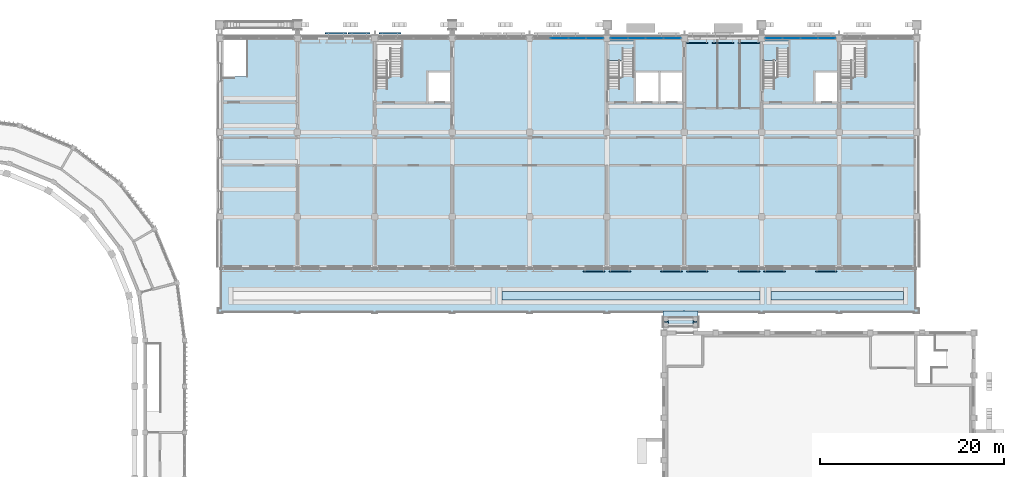
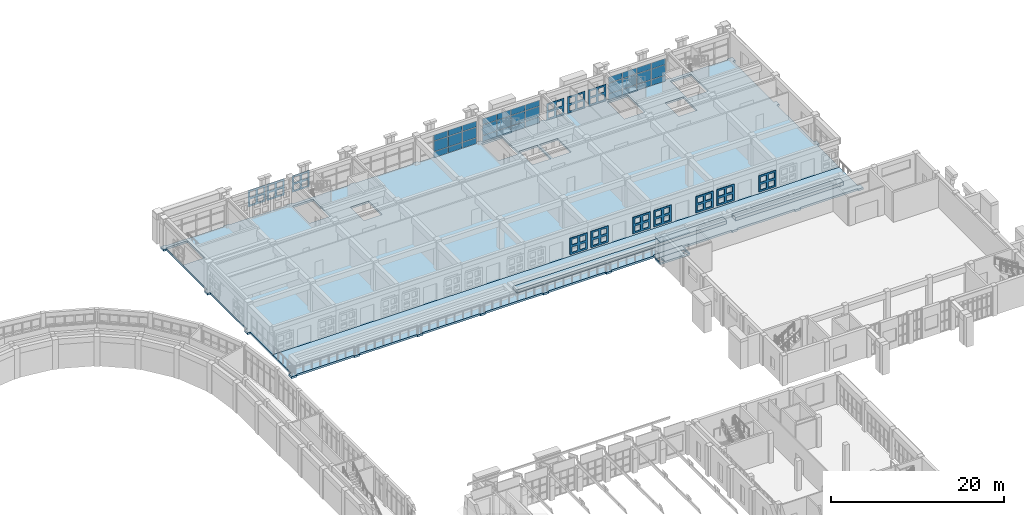
# One storey, part 49 of 99: 47 plates, 8 slabs, 5 elements without a shape of their own.
"""IFC4 building model written with IfcOpenShell, lengths in metres."""

from ifc_helpers import new_model, si_unit, direction, frame, origin, origin_2d, place, context, subcontext, project, spatial, polyline, rectangle, outline, extrude, material, layer, layer_set, material_profile, profile_set, type_object, element, aggregate, save


model = new_model("IFC4")

# Units and contexts
model_context = context("Model", 3, precision=1e-05, world=origin(), true_north=direction((0.0, 1.0)))
body_context = subcontext(model_context, "Body", "Model", "MODEL_VIEW")
ifc_project = project(units=[si_unit("LENGTHUNIT", "METRE"), si_unit("AREAUNIT", "SQUARE_METRE"), si_unit("VOLUMEUNIT", "CUBIC_METRE"), si_unit("PLANEANGLEUNIT", "RADIAN"), si_unit("MASSUNIT", "GRAM", prefix="KILO")], contexts=[model_context])

# Site, building, storey
site_placement = place(None, origin())
site = spatial("IfcSite", under=ifc_project, at=site_placement, CompositionType="ELEMENT")
building_placement = place(site_placement, origin())
building = spatial("IfcBuilding", under=site, at=building_placement, Name="Wasatch Bagh Community Centre", CompositionType="ELEMENT")
storey_placement = place(building_placement, frame((0.0, 0.0, 4.199951171875)))
storey = spatial("IfcBuildingStorey", under=building, at=storey_placement, Name="L01", CompositionType="ELEMENT", Elevation=4.199951171875)

# Curtain wall, plates
ifc_material_1 = material(Name="Aluminium curtain wall frame with low-iron glass", Category="aluminium")
ifc_layer_1 = layer(ifc_material_1, 0.10009765625)
ifc_layer_set_1 = layer_set([ifc_layer_1], Name="Aluminium curtain wall frame with low-iron glass")
curtain_wall_type_1 = type_object("IfcCurtainWallType", Name="LW curtain wall 100", PredefinedType="NOTDEFINED", material=ifc_layer_set_1)
curtain_wall_1_placement = place(storey_placement, origin())
curtain_wall_1 = element("IfcCurtainWall", 1, at=curtain_wall_1_placement, inside=storey, type_object=curtain_wall_type_1, Name="Curtain wall 01.05", PredefinedType="NOTDEFINED")
ifc_material_2 = material(Name="Low-iron insulated glass", Category="glass")
ifc_layer_2 = layer(ifc_material_2, 0.028076171875)
ifc_layer_set_2 = layer_set([ifc_layer_2], Name="Low-iron insulated glass")
plate_type_1 = type_object("IfcPlateType", Name="LW curtain wall panel 28", PredefinedType="CURTAIN_PANEL", material=ifc_layer_set_2)
plate_1_placement = place(storey_placement, frame((107.327392578125, 97.800048828125, 0.06005859375), z_axis=(0.0, 0.0, 1.0), x_axis=(1.0, 0.0, 0.0)))
plate_1 = element("IfcPlate", 2, at=plate_1_placement, type_object=plate_type_1, Name="LW-CW1 panel 1.1", PredefinedType="CURTAIN_PANEL", context=body_context, shape_type="SweptSolid", body=[
    extrude(rectangle(XDim=1.8349609375, YDim=0.028076171875, at=origin_2d()), origin(), (0.0, 0.0, 1.0), 0.81005859375),
])
plate_2_placement = place(storey_placement, frame((107.327392578125, 97.800048828125, 0.93017578125), z_axis=(0.0, 0.0, 1.0), x_axis=(1.0, 0.0, 0.0)))
plate_2 = element("IfcPlate", 3, at=plate_2_placement, type_object=plate_type_1, Name="LW-CW1 panel 1.2", PredefinedType="CURTAIN_PANEL", context=body_context, shape_type="SweptSolid", body=[
    extrude(rectangle(XDim=1.8349609375, YDim=0.028076171875, at=origin_2d()), origin(), (0.0, 0.0, 1.0), 1.43994140625),
])
plate_3_placement = place(storey_placement, frame((107.327392578125, 97.800048828125, 2.429931640625), z_axis=(0.0, 0.0, 1.0), x_axis=(1.0, 0.0, 0.0)))
plate_3 = element("IfcPlate", 4, at=plate_3_placement, type_object=plate_type_1, Name="LW-CW1 panel 1.3", PredefinedType="CURTAIN_PANEL", context=body_context, shape_type="SweptSolid", body=[
    extrude(rectangle(XDim=1.8349609375, YDim=0.028076171875, at=origin_2d()), origin(), (0.0, 0.0, 1.0), 0.830078125),
])
plate_4_placement = place(storey_placement, frame((109.237548828125, 97.800048828125, 0.06005859375), z_axis=(0.0, 0.0, 1.0), x_axis=(1.0, 0.0, 0.0)))
plate_4 = element("IfcPlate", 5, at=plate_4_placement, type_object=plate_type_1, Name="LW-CW1 panel 2.1", PredefinedType="CURTAIN_PANEL", context=body_context, shape_type="SweptSolid", body=[
    extrude(rectangle(XDim=1.864990234375, YDim=0.028076171875, at=origin_2d()), origin(), (0.0, 0.0, 1.0), 0.81005859375),
])
plate_5_placement = place(storey_placement, frame((109.237548828125, 97.800048828125, 0.93017578125), z_axis=(0.0, 0.0, 1.0), x_axis=(1.0, 0.0, 0.0)))
plate_5 = element("IfcPlate", 6, at=plate_5_placement, type_object=plate_type_1, Name="LW-CW1 panel 2.2", PredefinedType="CURTAIN_PANEL", context=body_context, shape_type="SweptSolid", body=[
    extrude(rectangle(XDim=1.864990234375, YDim=0.028076171875, at=origin_2d()), origin(), (0.0, 0.0, 1.0), 1.43994140625),
])
plate_6_placement = place(storey_placement, frame((109.237548828125, 97.800048828125, 2.429931640625), z_axis=(0.0, 0.0, 1.0), x_axis=(1.0, 0.0, 0.0)))
plate_6 = element("IfcPlate", 7, at=plate_6_placement, type_object=plate_type_1, Name="LW-CW1 panel 2.3", PredefinedType="CURTAIN_PANEL", context=body_context, shape_type="SweptSolid", body=[
    extrude(rectangle(XDim=1.864990234375, YDim=0.028076171875, at=origin_2d()), origin(), (0.0, 0.0, 1.0), 0.830078125),
])
plate_7_placement = place(storey_placement, frame((111.16259765625, 97.800048828125, 0.06005859375), z_axis=(0.0, 0.0, 1.0), x_axis=(1.0, 0.0, 0.0)))
plate_7 = element("IfcPlate", 8, at=plate_7_placement, type_object=plate_type_1, Name="LW-CW1 panel 3.1", PredefinedType="CURTAIN_PANEL", context=body_context, shape_type="SweptSolid", body=[
    extrude(rectangle(XDim=1.864990234375, YDim=0.028076171875, at=origin_2d()), origin(), (0.0, 0.0, 1.0), 0.81005859375),
])
plate_8_placement = place(storey_placement, frame((111.16259765625, 97.800048828125, 0.93017578125), z_axis=(0.0, 0.0, 1.0), x_axis=(1.0, 0.0, 0.0)))
plate_8 = element("IfcPlate", 9, at=plate_8_placement, type_object=plate_type_1, Name="LW-CW1 panel 3.2", PredefinedType="CURTAIN_PANEL", context=body_context, shape_type="SweptSolid", body=[
    extrude(rectangle(XDim=1.864990234375, YDim=0.028076171875, at=origin_2d()), origin(), (0.0, 0.0, 1.0), 1.43994140625),
])
plate_9_placement = place(storey_placement, frame((111.16259765625, 97.800048828125, 2.429931640625), z_axis=(0.0, 0.0, 1.0), x_axis=(1.0, 0.0, 0.0)))
plate_9 = element("IfcPlate", 10, at=plate_9_placement, type_object=plate_type_1, Name="LW-CW1 panel 3.3", PredefinedType="CURTAIN_PANEL", context=body_context, shape_type="SweptSolid", body=[
    extrude(rectangle(XDim=1.864990234375, YDim=0.028076171875, at=origin_2d()), origin(), (0.0, 0.0, 1.0), 0.830078125),
])
plate_10_placement = place(storey_placement, frame((113.072509765625, 97.800048828125, 0.06005859375), z_axis=(0.0, 0.0, 1.0), x_axis=(1.0, 0.0, 0.0)))
plate_10 = element("IfcPlate", 11, at=plate_10_placement, type_object=plate_type_1, Name="LW-CW1 panel 4.1", PredefinedType="CURTAIN_PANEL", context=body_context, shape_type="SweptSolid", body=[
    extrude(rectangle(XDim=1.8349609375, YDim=0.028076171875, at=origin_2d()), origin(), (0.0, 0.0, 1.0), 0.81005859375),
])
plate_11_placement = place(storey_placement, frame((113.072509765625, 97.800048828125, 0.93017578125), z_axis=(0.0, 0.0, 1.0), x_axis=(1.0, 0.0, 0.0)))
plate_11 = element("IfcPlate", 12, at=plate_11_placement, type_object=plate_type_1, Name="LW-CW1 panel 4.2", PredefinedType="CURTAIN_PANEL", context=body_context, shape_type="SweptSolid", body=[
    extrude(rectangle(XDim=1.8349609375, YDim=0.028076171875, at=origin_2d()), origin(), (0.0, 0.0, 1.0), 1.43994140625),
])
plate_12_placement = place(storey_placement, frame((113.072509765625, 97.800048828125, 2.429931640625), z_axis=(0.0, 0.0, 1.0), x_axis=(1.0, 0.0, 0.0)))
plate_12 = element("IfcPlate", 13, at=plate_12_placement, type_object=plate_type_1, Name="LW-CW1 panel 4.3", PredefinedType="CURTAIN_PANEL", context=body_context, shape_type="SweptSolid", body=[
    extrude(rectangle(XDim=1.8349609375, YDim=0.028076171875, at=origin_2d()), origin(), (0.0, 0.0, 1.0), 0.830078125),
])
aggregate(curtain_wall_1, [plate_1, plate_2, plate_3, plate_4, plate_5, plate_6, plate_7, plate_8, plate_9, plate_10, plate_11, plate_12])

curtain_wall_2_placement = place(storey_placement, origin())
curtain_wall_2 = element("IfcCurtainWall", 14, at=curtain_wall_2_placement, inside=storey, type_object=curtain_wall_type_1, Name="Curtain wall 01.06", PredefinedType="NOTDEFINED")
plate_13_placement = place(storey_placement, frame((124.12744140625, 97.800048828125, 0.06005859375), z_axis=(0.0, 0.0, 1.0), x_axis=(1.0, 0.0, 0.0)))
plate_13 = element("IfcPlate", 15, at=plate_13_placement, type_object=plate_type_1, Name="LW-CW1 panel 1.1", PredefinedType="CURTAIN_PANEL", context=body_context, shape_type="SweptSolid", body=[
    extrude(rectangle(XDim=1.8349609375, YDim=0.028076171875, at=origin_2d()), origin(), (0.0, 0.0, 1.0), 0.81005859375),
])
plate_14_placement = place(storey_placement, frame((124.12744140625, 97.800048828125, 0.93017578125), z_axis=(0.0, 0.0, 1.0), x_axis=(1.0, 0.0, 0.0)))
plate_14 = element("IfcPlate", 16, at=plate_14_placement, type_object=plate_type_1, Name="LW-CW1 panel 1.2", PredefinedType="CURTAIN_PANEL", context=body_context, shape_type="SweptSolid", body=[
    extrude(rectangle(XDim=1.8349609375, YDim=0.028076171875, at=origin_2d()), origin(), (0.0, 0.0, 1.0), 1.43994140625),
])
plate_15_placement = place(storey_placement, frame((124.12744140625, 97.800048828125, 2.429931640625), z_axis=(0.0, 0.0, 1.0), x_axis=(1.0, 0.0, 0.0)))
plate_15 = element("IfcPlate", 17, at=plate_15_placement, type_object=plate_type_1, Name="LW-CW1 panel 1.3", PredefinedType="CURTAIN_PANEL", context=body_context, shape_type="SweptSolid", body=[
    extrude(rectangle(XDim=1.8349609375, YDim=0.028076171875, at=origin_2d()), origin(), (0.0, 0.0, 1.0), 0.830078125),
])
plate_16_placement = place(storey_placement, frame((126.03759765625, 97.800048828125, 0.06005859375), z_axis=(0.0, 0.0, 1.0), x_axis=(1.0, 0.0, 0.0)))
plate_16 = element("IfcPlate", 18, at=plate_16_placement, type_object=plate_type_1, Name="LW-CW1 panel 2.1", PredefinedType="CURTAIN_PANEL", context=body_context, shape_type="SweptSolid", body=[
    extrude(rectangle(XDim=1.864990234375, YDim=0.028076171875, at=origin_2d()), origin(), (0.0, 0.0, 1.0), 0.81005859375),
])
plate_17_placement = place(storey_placement, frame((126.03759765625, 97.800048828125, 0.93017578125), z_axis=(0.0, 0.0, 1.0), x_axis=(1.0, 0.0, 0.0)))
plate_17 = element("IfcPlate", 19, at=plate_17_placement, type_object=plate_type_1, Name="LW-CW1 panel 2.2", PredefinedType="CURTAIN_PANEL", context=body_context, shape_type="SweptSolid", body=[
    extrude(rectangle(XDim=1.864990234375, YDim=0.028076171875, at=origin_2d()), origin(), (0.0, 0.0, 1.0), 1.43994140625),
])
plate_18_placement = place(storey_placement, frame((126.03759765625, 97.800048828125, 2.429931640625), z_axis=(0.0, 0.0, 1.0), x_axis=(1.0, 0.0, 0.0)))
plate_18 = element("IfcPlate", 20, at=plate_18_placement, type_object=plate_type_1, Name="LW-CW1 panel 2.3", PredefinedType="CURTAIN_PANEL", context=body_context, shape_type="SweptSolid", body=[
    extrude(rectangle(XDim=1.864990234375, YDim=0.028076171875, at=origin_2d()), origin(), (0.0, 0.0, 1.0), 0.830078125),
])
plate_19_placement = place(storey_placement, frame((127.96240234375, 97.800048828125, 0.06005859375), z_axis=(0.0, 0.0, 1.0), x_axis=(1.0, 0.0, 0.0)))
plate_19 = element("IfcPlate", 21, at=plate_19_placement, type_object=plate_type_1, Name="LW-CW1 panel 3.1", PredefinedType="CURTAIN_PANEL", context=body_context, shape_type="SweptSolid", body=[
    extrude(rectangle(XDim=1.864990234375, YDim=0.028076171875, at=origin_2d()), origin(), (0.0, 0.0, 1.0), 0.81005859375),
])
plate_20_placement = place(storey_placement, frame((127.96240234375, 97.800048828125, 0.93017578125), z_axis=(0.0, 0.0, 1.0), x_axis=(1.0, 0.0, 0.0)))
plate_20 = element("IfcPlate", 22, at=plate_20_placement, type_object=plate_type_1, Name="LW-CW1 panel 3.2", PredefinedType="CURTAIN_PANEL", context=body_context, shape_type="SweptSolid", body=[
    extrude(rectangle(XDim=1.864990234375, YDim=0.028076171875, at=origin_2d()), origin(), (0.0, 0.0, 1.0), 1.43994140625),
])
plate_21_placement = place(storey_placement, frame((127.96240234375, 97.800048828125, 2.429931640625), z_axis=(0.0, 0.0, 1.0), x_axis=(1.0, 0.0, 0.0)))
plate_21 = element("IfcPlate", 23, at=plate_21_placement, type_object=plate_type_1, Name="LW-CW1 panel 3.3", PredefinedType="CURTAIN_PANEL", context=body_context, shape_type="SweptSolid", body=[
    extrude(rectangle(XDim=1.864990234375, YDim=0.028076171875, at=origin_2d()), origin(), (0.0, 0.0, 1.0), 0.830078125),
])
plate_22_placement = place(storey_placement, frame((129.87255859375, 97.800048828125, 0.06005859375), z_axis=(0.0, 0.0, 1.0), x_axis=(1.0, 0.0, 0.0)))
plate_22 = element("IfcPlate", 24, at=plate_22_placement, type_object=plate_type_1, Name="LW-CW1 panel 4.1", PredefinedType="CURTAIN_PANEL", context=body_context, shape_type="SweptSolid", body=[
    extrude(rectangle(XDim=1.8349609375, YDim=0.028076171875, at=origin_2d()), origin(), (0.0, 0.0, 1.0), 0.81005859375),
])
plate_23_placement = place(storey_placement, frame((129.87255859375, 97.800048828125, 0.93017578125), z_axis=(0.0, 0.0, 1.0), x_axis=(1.0, 0.0, 0.0)))
plate_23 = element("IfcPlate", 25, at=plate_23_placement, type_object=plate_type_1, Name="LW-CW1 panel 4.2", PredefinedType="CURTAIN_PANEL", context=body_context, shape_type="SweptSolid", body=[
    extrude(rectangle(XDim=1.8349609375, YDim=0.028076171875, at=origin_2d()), origin(), (0.0, 0.0, 1.0), 1.43994140625),
])
plate_24_placement = place(storey_placement, frame((129.87255859375, 97.800048828125, 2.429931640625), z_axis=(0.0, 0.0, 1.0), x_axis=(1.0, 0.0, 0.0)))
plate_24 = element("IfcPlate", 26, at=plate_24_placement, type_object=plate_type_1, Name="LW-CW1 panel 4.3", PredefinedType="CURTAIN_PANEL", context=body_context, shape_type="SweptSolid", body=[
    extrude(rectangle(XDim=1.8349609375, YDim=0.028076171875, at=origin_2d()), origin(), (0.0, 0.0, 1.0), 0.830078125),
])
aggregate(curtain_wall_2, [plate_13, plate_14, plate_15, plate_16, plate_17, plate_18, plate_19, plate_20, plate_21, plate_22, plate_23, plate_24])

ifc_layer_3 = layer(ifc_material_1, 0.1201171875)
ifc_layer_set_3 = layer_set([ifc_layer_3], Name="Aluminium curtain wall frame with low-iron glass")
curtain_wall_type_2 = type_object("IfcCurtainWallType", Name="LW study front curtain wall 120", PredefinedType="NOTDEFINED", material=ifc_layer_set_3)
curtain_wall_3_placement = place(storey_placement, origin())
curtain_wall_3 = element("IfcCurtainWall", 27, at=curtain_wall_3_placement, inside=storey, type_object=curtain_wall_type_2, Name="Curtain wall 01.04", PredefinedType="NOTDEFINED")
ifc_layer_4 = layer(ifc_material_2, 0.028076171875)
ifc_layer_set_4 = layer_set([ifc_layer_4], Name="Low-iron insulated glass")
plate_type_2 = type_object("IfcPlateType", Name="LW curtain wall panel 28 LW-CW2", PredefinedType="CURTAIN_PANEL", material=ifc_layer_set_4)
plate_25_placement = place(storey_placement, frame((100.83740234375, 97.800048828125, 0.06005859375), z_axis=(0.0, 0.0, 1.0), x_axis=(1.0, 0.0, 0.0)))
plate_25 = element("IfcPlate", 28, at=plate_25_placement, type_object=plate_type_2, Name="LW-CW2 panel 2.1", PredefinedType="CURTAIN_PANEL", context=body_context, shape_type="SweptSolid", body=[
    extrude(rectangle(XDim=1.864990234375, YDim=0.028076171875, at=origin_2d()), origin(), (0.0, 0.0, 1.0), 0.81005859375),
])
plate_26_placement = place(storey_placement, frame((100.83740234375, 97.800048828125, 0.93017578125), z_axis=(0.0, 0.0, 1.0), x_axis=(1.0, 0.0, 0.0)))
plate_26 = element("IfcPlate", 29, at=plate_26_placement, type_object=plate_type_2, Name="LW-CW2 panel 2.2", PredefinedType="CURTAIN_PANEL", context=body_context, shape_type="SweptSolid", body=[
    extrude(rectangle(XDim=1.864990234375, YDim=0.028076171875, at=origin_2d()), origin(), (0.0, 0.0, 1.0), 1.43994140625),
])
plate_27_placement = place(storey_placement, frame((100.83740234375, 97.800048828125, 2.429931640625), z_axis=(0.0, 0.0, 1.0), x_axis=(1.0, 0.0, 0.0)))
plate_27 = element("IfcPlate", 30, at=plate_27_placement, type_object=plate_type_2, Name="LW-CW2 panel 2.3", PredefinedType="CURTAIN_PANEL", context=body_context, shape_type="SweptSolid", body=[
    extrude(rectangle(XDim=1.864990234375, YDim=0.028076171875, at=origin_2d()), origin(), (0.0, 0.0, 1.0), 0.830078125),
])
plate_28_placement = place(storey_placement, frame((102.762451171875, 97.800048828125, 0.06005859375), z_axis=(0.0, 0.0, 1.0), x_axis=(1.0, 0.0, 0.0)))
plate_28 = element("IfcPlate", 31, at=plate_28_placement, type_object=plate_type_2, Name="LW-CW2 panel 3.1", PredefinedType="CURTAIN_PANEL", context=body_context, shape_type="SweptSolid", body=[
    extrude(rectangle(XDim=1.864990234375, YDim=0.028076171875, at=origin_2d()), origin(), (0.0, 0.0, 1.0), 0.81005859375),
])
plate_29_placement = place(storey_placement, frame((102.762451171875, 97.800048828125, 0.93017578125), z_axis=(0.0, 0.0, 1.0), x_axis=(1.0, 0.0, 0.0)))
plate_29 = element("IfcPlate", 32, at=plate_29_placement, type_object=plate_type_2, Name="LW-CW2 panel 3.2", PredefinedType="CURTAIN_PANEL", context=body_context, shape_type="SweptSolid", body=[
    extrude(rectangle(XDim=1.864990234375, YDim=0.028076171875, at=origin_2d()), origin(), (0.0, 0.0, 1.0), 1.43994140625),
])
plate_30_placement = place(storey_placement, frame((102.762451171875, 97.800048828125, 2.429931640625), z_axis=(0.0, 0.0, 1.0), x_axis=(1.0, 0.0, 0.0)))
plate_30 = element("IfcPlate", 33, at=plate_30_placement, type_object=plate_type_2, Name="LW-CW2 panel 3.3", PredefinedType="CURTAIN_PANEL", context=body_context, shape_type="SweptSolid", body=[
    extrude(rectangle(XDim=1.864990234375, YDim=0.028076171875, at=origin_2d()), origin(), (0.0, 0.0, 1.0), 0.830078125),
])
plate_31_placement = place(storey_placement, frame((104.672607421875, 97.800048828125, 0.06005859375), z_axis=(0.0, 0.0, 1.0), x_axis=(1.0, 0.0, 0.0)))
plate_31 = element("IfcPlate", 34, at=plate_31_placement, type_object=plate_type_2, Name="LW-CW2 panel 4.1", PredefinedType="CURTAIN_PANEL", context=body_context, shape_type="SweptSolid", body=[
    extrude(rectangle(XDim=1.8349609375, YDim=0.028076171875, at=origin_2d()), origin(), (0.0, 0.0, 1.0), 0.81005859375),
])
plate_32_placement = place(storey_placement, frame((104.672607421875, 97.800048828125, 0.93017578125), z_axis=(0.0, 0.0, 1.0), x_axis=(1.0, 0.0, 0.0)))
plate_32 = element("IfcPlate", 35, at=plate_32_placement, type_object=plate_type_2, Name="LW-CW2 panel 4.2", PredefinedType="CURTAIN_PANEL", context=body_context, shape_type="SweptSolid", body=[
    extrude(rectangle(XDim=1.8349609375, YDim=0.028076171875, at=origin_2d()), origin(), (0.0, 0.0, 1.0), 1.43994140625),
])
plate_33_placement = place(storey_placement, frame((104.672607421875, 97.800048828125, 2.429931640625), z_axis=(0.0, 0.0, 1.0), x_axis=(1.0, 0.0, 0.0)))
plate_33 = element("IfcPlate", 36, at=plate_33_placement, type_object=plate_type_2, Name="LW-CW2 panel 4.3", PredefinedType="CURTAIN_PANEL", context=body_context, shape_type="SweptSolid", body=[
    extrude(rectangle(XDim=1.8349609375, YDim=0.028076171875, at=origin_2d()), origin(), (0.0, 0.0, 1.0), 0.830078125),
])
aggregate(curtain_wall_3, [plate_25, plate_26, plate_27, plate_28, plate_29, plate_30, plate_31, plate_32, plate_33])

# Slab
ifc_material_3 = material(Name="Concrete C35", Category="concrete")
ifc_layer_5 = layer(ifc_material_3, 0.280029296875)
ifc_layer_set_5 = layer_set([ifc_layer_5], Name="Concrete C35")
slab_type_1 = type_object("IfcSlabType", Name="LW floor slab 280", PredefinedType="FLOOR", material=ifc_layer_set_5)
slab_1_placement = place(storey_placement, frame((0.0, 0.0, -0.280029296875)))
element("IfcSlab", 37, at=slab_1_placement, inside=storey, type_object=slab_type_1, Name="LW.slab.L01.01", PredefinedType="FLOOR", context=body_context, shape_type="SweptSolid", body=[
    extrude(outline(polyline([(139.949951171875, 78.050048828125), (139.60009765625, 78.050048828125), (139.60009765625, 72.800048828125), (64.0, 72.800048828125), (64.0, 78.050048828125), (63.64990234375, 78.050048828125), (63.64990234375, 78.75), (64.0, 78.75), (64.0, 87.25), (63.64990234375, 87.25), (63.64990234375, 87.949951171875), (64.0, 87.949951171875), (64.0, 97.449951171875), (63.64990234375, 97.449951171875), (63.64990234375, 98.14990234375), (64.35009765625, 98.14990234375), (64.35009765625, 98.0), (72.050048828125, 98.0), (72.050048828125, 98.14990234375), (72.75, 98.14990234375), (72.75, 98.0), (80.449951171875, 98.0), (80.449951171875, 98.14990234375), (81.14990234375, 98.14990234375), (81.14990234375, 98.0), (88.85009765625, 98.0), (88.85009765625, 98.14990234375), (89.550048828125, 98.14990234375), (89.550048828125, 98.0), (97.25, 98.0), (97.25, 98.14990234375), (97.949951171875, 98.14990234375), (97.949951171875, 98.0), (105.64990234375, 98.0), (105.64990234375, 98.14990234375), (106.35009765625, 98.14990234375), (106.35009765625, 98.0), (114.050048828125, 98.0), (114.050048828125, 98.14990234375), (114.75, 98.14990234375), (114.75, 98.0), (122.449951171875, 98.0), (122.449951171875, 98.14990234375), (123.14990234375, 98.14990234375), (123.14990234375, 98.0), (130.85009765625, 98.0), (130.85009765625, 98.14990234375), (131.550048828125, 98.14990234375), (131.550048828125, 98.0), (139.25, 98.0), (139.25, 98.14990234375), (139.949951171875, 98.14990234375), (139.949951171875, 97.449951171875), (139.60009765625, 97.449951171875), (139.60009765625, 87.949951171875), (139.949951171875, 87.949951171875), (139.949951171875, 87.25), (139.60009765625, 87.25), (139.60009765625, 78.75), (139.949951171875, 78.75), (139.949951171875, 78.050048828125)]), holes=[polyline([(89.074951171875, 94.074951171875), (89.074951171875, 90.925048828125), (86.625, 90.925048828125), (86.625, 94.074951171875), (89.074951171875, 94.074951171875)]), polyline([(111.574951171875, 94.074951171875), (111.574951171875, 90.925048828125), (109.125, 90.925048828125), (109.125, 94.074951171875), (111.574951171875, 94.074951171875)]), polyline([(114.27490234375, 94.074951171875), (114.27490234375, 90.925048828125), (111.824951171875, 90.925048828125), (111.824951171875, 94.074951171875), (114.27490234375, 94.074951171875)]), polyline([(131.074951171875, 94.074951171875), (131.074951171875, 90.925048828125), (128.625, 90.925048828125), (128.625, 94.074951171875), (131.074951171875, 94.074951171875)]), polyline([(66.925048828125, 97.60009765625), (66.925048828125, 93.6201171875), (64.125, 93.6201171875), (64.125, 97.60009765625), (66.925048828125, 97.60009765625)]), polyline([(83.72509765625, 97.60009765625), (83.72509765625, 93.6201171875), (80.925048828125, 93.6201171875), (80.925048828125, 97.60009765625), (83.72509765625, 97.60009765625)]), polyline([(108.925048828125, 97.60009765625), (108.925048828125, 93.6201171875), (106.125, 93.6201171875), (106.125, 97.60009765625), (108.925048828125, 97.60009765625)]), polyline([(125.72509765625, 93.6201171875), (122.925048828125, 93.6201171875), (122.925048828125, 97.60009765625), (125.72509765625, 97.60009765625), (125.72509765625, 93.6201171875)]), polyline([(134.125, 93.6201171875), (131.324951171875, 93.6201171875), (131.324951171875, 97.60009765625), (134.125, 97.60009765625), (134.125, 93.6201171875)])]), origin(), (0.0, 0.0, 1.0), 0.280029296875),
])

# Plates
ifc_material_4 = material(Name="Precast concrete C40/50", Category="concrete")
ifc_material_profile = material_profile(ifc_material_4, outline(polyline([(-1.159912109375, -1.159912109375), (1.159912109375, -1.159912109375), (1.159912109375, 1.159912109375), (-1.159912109375, 1.159912109375), (-1.159912109375, -1.159912109375)]), holes=[polyline([(-0.919921875, -0.919921875), (-0.14990234375, -0.919921875), (-0.14990234375, -0.14990234375), (-0.919921875, -0.14990234375), (-0.919921875, -0.919921875)]), polyline([(-0.919921875, 0.14990234375), (-0.14990234375, 0.14990234375), (-0.14990234375, 0.919921875), (-0.919921875, 0.919921875), (-0.919921875, 0.14990234375)]), polyline([(0.14990234375, -0.919921875), (0.919921875, -0.919921875), (0.919921875, -0.14990234375), (0.14990234375, -0.14990234375), (0.14990234375, -0.919921875)]), polyline([(0.14990234375, 0.14990234375), (0.919921875, 0.14990234375), (0.919921875, 0.919921875), (0.14990234375, 0.919921875), (0.14990234375, 0.14990234375)])]), Name="Jali lattice")
ifc_profile_set = profile_set([ifc_material_profile], Name="Precast concrete C40/50")
plate_type_3 = type_object("IfcPlateType", Name="LW jali panel 2320x2320", PredefinedType="SHEET", material=ifc_profile_set)
for number, where, z_axis, x_axis, name in (
    (38, (104.60009765625, 72.5, 1.66015625), (0.0, -1.0, 0.0), (1.0, 0.0, 0.0), "Jali panel"),
    (39, (107.39990234375, 72.5, 1.66015625), (0.0, -1.0, 0.0), (1.0, 0.0, 0.0), "Jali panel"),
    (40, (113.0, 72.5, 1.66015625), (0.0, -1.0, 0.0), (1.0, 0.0, 0.0), "Jali panel"),
    (41, (115.800048828125, 72.5, 1.66015625), (0.0, -1.0, 0.0), (1.0, 0.0, 0.0), "Jali panel"),
    (42, (121.39990234375, 72.5, 1.66015625), (0.0, -1.0, 0.0), (1.0, 0.0, 0.0), "Jali panel"),
    (43, (124.199951171875, 72.5, 1.66015625), (0.0, -1.0, 0.0), (1.0, 0.0, 0.0), "Jali panel"),
    (44, (129.800048828125, 72.5, 1.66015625), (0.0, -1.0, 0.0), (1.0, 0.0, 0.0), "Jali panel"),
    (45, (115.800048828125, 97.300048828125, 1.66015625), (0.0, -1.0, 0.0), (1.0, 0.0, 0.0), "Jali panel"),
    (46, (118.60009765625, 97.300048828125, 1.66015625), (0.0, -1.0, 0.0), (1.0, 0.0, 0.0), "Jali panel"),
    (47, (121.39990234375, 97.300048828125, 1.66015625), (0.0, -1.0, 0.0), (1.0, 0.0, 0.0), "Jali panel"),
    (48, (76.580078125, 98.300048828125, 2.510009765625), (0.0, 1.0, 0.0), (-1.0, 0.0, 0.0), "Jali panel"),
    (49, (79.10009765625, 98.300048828125, 2.510009765625), (0.0, 1.0, 0.0), (-1.0, 0.0, 0.0), "Jali panel"),
    (50, (82.4599609375, 98.300048828125, 2.510009765625), (0.0, 1.0, 0.0), (-1.0, 0.0, 0.0), "Jali panel"),
):
    element("IfcPlate", number, at=place(storey_placement, frame(where, z_axis=z_axis, x_axis=x_axis)), inside=storey, type_object=plate_type_3, Name=name, PredefinedType="SHEET", context=body_context, shape_type="SweptSolid", body=[
        extrude(outline(polyline([(-1.159912109375, -1.159912109375), (1.159912109375, -1.159912109375), (1.159912109375, 1.159912109375), (-1.159912109375, 1.159912109375), (-1.159912109375, -1.159912109375)]), holes=[polyline([(-0.919921875, -0.919921875), (-0.14990234375, -0.919921875), (-0.14990234375, -0.14990234375), (-0.919921875, -0.14990234375), (-0.919921875, -0.919921875)]), polyline([(-0.919921875, 0.14990234375), (-0.14990234375, 0.14990234375), (-0.14990234375, 0.919921875), (-0.919921875, 0.919921875), (-0.919921875, 0.14990234375)]), polyline([(0.14990234375, -0.919921875), (0.919921875, -0.919921875), (0.919921875, -0.14990234375), (0.14990234375, -0.14990234375), (0.14990234375, -0.919921875)]), polyline([(0.14990234375, 0.14990234375), (0.919921875, 0.14990234375), (0.919921875, 0.919921875), (0.14990234375, 0.919921875), (0.14990234375, 0.14990234375)])]), origin(), (0.0, 0.0, 1.0), 0.070068359375),
    ])

# Slabs
ifc_material_5 = material(Name="Planting soil over Concrete C30", Category="concrete")
ifc_layer_6 = layer(ifc_material_5, 0.449951171875)
ifc_layer_set_6 = layer_set([ifc_layer_6], Name="Planting soil over Concrete C30")
slab_type_2 = type_object("IfcSlabType", Name="LW planting bed 450", PredefinedType="FLOOR", material=ifc_layer_set_6)
slab_2_placement = place(storey_placement, origin())
element("IfcSlab", 51, at=slab_2_placement, inside=storey, type_object=slab_type_2, Name="Planting bed T1 (groundcover and shrubs)", PredefinedType="FLOOR", context=body_context, shape_type="SweptSolid", body=[
    extrude(outline(polyline([(94.60009765625, 69.39990234375), (122.60009765625, 69.39990234375), (122.60009765625, 70.300048828125), (94.60009765625, 70.300048828125), (94.60009765625, 69.39990234375)])), origin(), (0.0, 0.0, 1.0), 0.449951171875),
])
slab_3_placement = place(storey_placement, origin())
element("IfcSlab", 52, at=slab_3_placement, inside=storey, type_object=slab_type_2, Name="Planting bed T1 (groundcover and shrubs)", PredefinedType="FLOOR", context=body_context, shape_type="SweptSolid", body=[
    extrude(outline(polyline([(123.800048828125, 69.39990234375), (138.199951171875, 69.39990234375), (138.199951171875, 70.300048828125), (123.800048828125, 70.300048828125), (123.800048828125, 69.39990234375)])), origin(), (0.0, 0.0, 1.0), 0.449951171875),
])

# Stair, slab
stair_type = type_object("IfcStairType", Name="LW core stair", PredefinedType="HALF_TURN_STAIR", material=ifc_material_3)
stair_1_placement = place(storey_placement, origin())
stair_1 = element("IfcStair", 53, at=stair_1_placement, inside=storey, type_object=stair_type, Name="Stair Stair and Lift C2", PredefinedType="HALF_TURN_STAIR")
ifc_layer_7 = layer(ifc_material_3, 0.199951171875)
ifc_layer_set_7 = layer_set([ifc_layer_7], Name="Concrete C35")
slab_type_3 = type_object("IfcSlabType", Name="LW stair landing 200", PredefinedType="LANDING", material=ifc_layer_set_7)
slab_4_placement = place(storey_placement, frame((0.0, 0.0, 1.900146484375)))
slab_4 = element("IfcSlab", 54, at=slab_4_placement, type_object=slab_type_3, Name="ST-C2-1 landing 1", PredefinedType="LANDING", context=body_context, shape_type="SweptSolid", body=[
    extrude(outline(polyline([(106.125, 95.360107421875), (108.93505859375, 95.360107421875), (108.93505859375, 97.60009765625), (106.125, 97.60009765625), (106.125, 95.360107421875)])), origin(), (0.0, 0.0, 1.0), 0.199951171875),
])
aggregate(stair_1, [slab_4])

stair_2_placement = place(storey_placement, origin())
stair_2 = element("IfcStair", 55, at=stair_2_placement, inside=storey, type_object=stair_type, Name="Stair Stair and Lift C3", PredefinedType="HALF_TURN_STAIR")
slab_5_placement = place(storey_placement, frame((0.0, 0.0, 1.900146484375)))
slab_5 = element("IfcSlab", 56, at=slab_5_placement, type_object=slab_type_3, Name="ST-C3-1 landing 1", PredefinedType="LANDING", context=body_context, shape_type="SweptSolid", body=[
    extrude(outline(polyline([(122.925048828125, 95.360107421875), (125.735107421875, 95.360107421875), (125.735107421875, 97.60009765625), (122.925048828125, 97.60009765625), (122.925048828125, 95.360107421875)])), origin(), (0.0, 0.0, 1.0), 0.199951171875),
])
aggregate(stair_2, [slab_5])

# Slab
ifc_layer_8 = layer(ifc_material_3, 0.280029296875)
ifc_layer_set_8 = layer_set([ifc_layer_8], Name="Concrete C35")
slab_type_4 = type_object("IfcSlabType", Name="LW terrace slab 280", PredefinedType="FLOOR", material=ifc_layer_set_8)
slab_6_placement = place(storey_placement, frame((0.0, 0.0, -0.280029296875)))
element("IfcSlab", 57, at=slab_6_placement, inside=storey, type_object=slab_type_4, Name="LW.slab.L01.02", PredefinedType="FLOOR", context=body_context, shape_type="SweptSolid", body=[
    extrude(outline(polyline([(72.75, 68.0), (72.75, 67.85009765625), (72.050048828125, 67.85009765625), (72.050048828125, 68.0), (64.35009765625, 68.0), (64.35009765625, 67.85009765625), (63.64990234375, 67.85009765625), (63.64990234375, 68.550048828125), (64.0, 68.550048828125), (64.0, 72.800048828125), (139.60009765625, 72.800048828125), (139.60009765625, 68.550048828125), (139.949951171875, 68.550048828125), (139.949951171875, 67.85009765625), (139.25, 67.85009765625), (139.25, 68.0), (131.550048828125, 68.0), (131.550048828125, 67.85009765625), (130.85009765625, 67.85009765625), (130.85009765625, 68.0), (123.14990234375, 68.0), (123.14990234375, 67.85009765625), (122.449951171875, 67.85009765625), (122.449951171875, 68.0), (114.75, 68.0), (114.75, 67.85009765625), (114.050048828125, 67.85009765625), (114.050048828125, 68.0), (106.35009765625, 68.0), (106.35009765625, 67.85009765625), (105.64990234375, 67.85009765625), (105.64990234375, 68.0), (97.949951171875, 68.0), (97.949951171875, 67.85009765625), (97.25, 67.85009765625), (97.25, 68.0), (89.550048828125, 68.0), (89.550048828125, 67.85009765625), (88.85009765625, 67.85009765625), (88.85009765625, 68.0), (81.14990234375, 68.0), (81.14990234375, 67.85009765625), (80.449951171875, 67.85009765625), (80.449951171875, 68.0), (72.75, 68.0)])), origin(), (0.0, 0.0, 1.0), 0.280029296875),
])

# Plate
ifc_material_6 = material(Name="Aluminium chequer plate", Category="aluminium")
ifc_layer_9 = layer(ifc_material_6, 0.008056640625)
ifc_layer_set_9 = layer_set([ifc_layer_9], Name="Aluminium chequer plate")
plate_type_4 = type_object("IfcPlateType", Name="PA-J1", PredefinedType="SHEET", material=ifc_layer_set_9)
plate_34_placement = place(storey_placement, frame((114.0, 67.800048828125, 0.0), z_axis=(0.0, 0.0, 1.0), x_axis=(1.0, 0.0, 0.0)))
element("IfcPlate", 58, at=plate_34_placement, inside=storey, type_object=plate_type_4, Name="joint cover plate PA3.2", PredefinedType="SHEET", context=body_context, shape_type="SweptSolid", body=[
    extrude(rectangle(XDim=3.800048828125, YDim=0.800048828125, at=origin_2d()), origin(), (0.0, 0.0, 1.0), 0.008056640625),
])

# Slabs
ifc_layer_10 = layer(ifc_material_3, 0.179931640625)
ifc_layer_set_10 = layer_set([ifc_layer_10], Name="Concrete C35")
slab_type_5 = type_object("IfcSlabType", Name="PA-S1", PredefinedType="ROOF", material=ifc_layer_set_10)
slab_7_placement = place(storey_placement, frame((0.0, 0.0, 2.820068359375)))
element("IfcSlab", 59, at=slab_7_placement, inside=storey, type_object=slab_type_5, Name="PA3 roof slab", PredefinedType="ROOF", context=body_context, shape_type="SweptSolid", body=[
    extrude(outline(polyline([(112.0, 66.39990234375), (116.0, 66.39990234375), (116.0, 67.60009765625), (112.0, 67.60009765625), (112.0, 66.39990234375)])), origin(), (0.0, 0.0, 1.0), 0.179931640625),
])
ifc_layer_11 = layer(ifc_material_3, 0.260009765625)
ifc_layer_set_11 = layer_set([ifc_layer_11], Name="Concrete C35")
slab_type_6 = type_object("IfcSlabType", Name="PA-S3", PredefinedType="FLOOR", material=ifc_layer_set_11)
slab_8_placement = place(storey_placement, frame((0.0, 0.0, -0.260009765625)))
element("IfcSlab", 60, at=slab_8_placement, inside=storey, type_object=slab_type_6, Name="PA3 deck", PredefinedType="FLOOR", context=body_context, shape_type="SweptSolid", body=[
    extrude(outline(polyline([(112.0, 66.39990234375), (112.0, 67.60009765625), (116.0, 67.60009765625), (116.0, 66.39990234375), (112.0, 66.39990234375)]), holes=[polyline([(112.1298828125, 66.429931640625), (112.669921875, 66.429931640625), (112.669921875, 66.969970703125), (112.1298828125, 66.969970703125), (112.1298828125, 66.429931640625)]), polyline([(115.330078125, 66.429931640625), (115.8701171875, 66.429931640625), (115.8701171875, 66.969970703125), (115.330078125, 66.969970703125), (115.330078125, 66.429931640625)]), polyline([(112.1298828125, 67.030029296875), (112.669921875, 67.030029296875), (112.669921875, 67.570068359375), (112.1298828125, 67.570068359375), (112.1298828125, 67.030029296875)]), polyline([(115.330078125, 67.030029296875), (115.8701171875, 67.030029296875), (115.8701171875, 67.570068359375), (115.330078125, 67.570068359375), (115.330078125, 67.030029296875)])]), origin(), (0.0, 0.0, 1.0), 0.260009765625),
])

save(model, "model.ifc")
